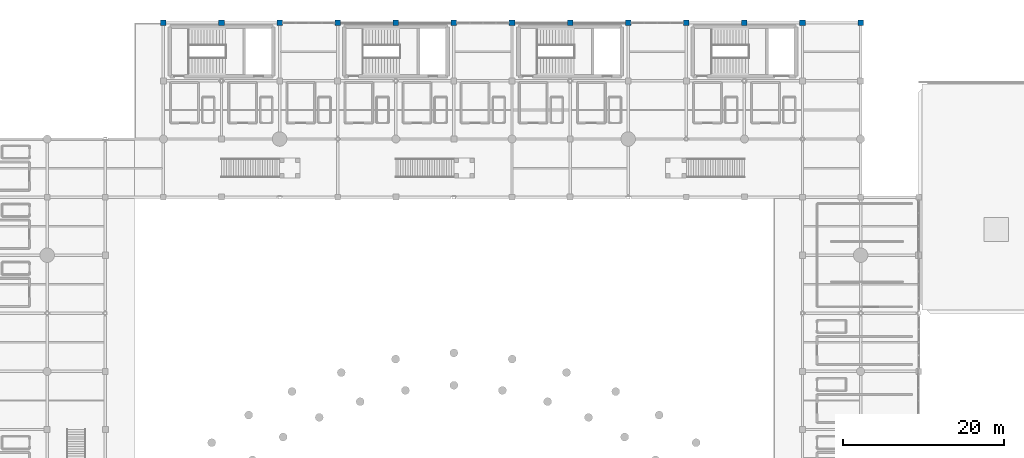
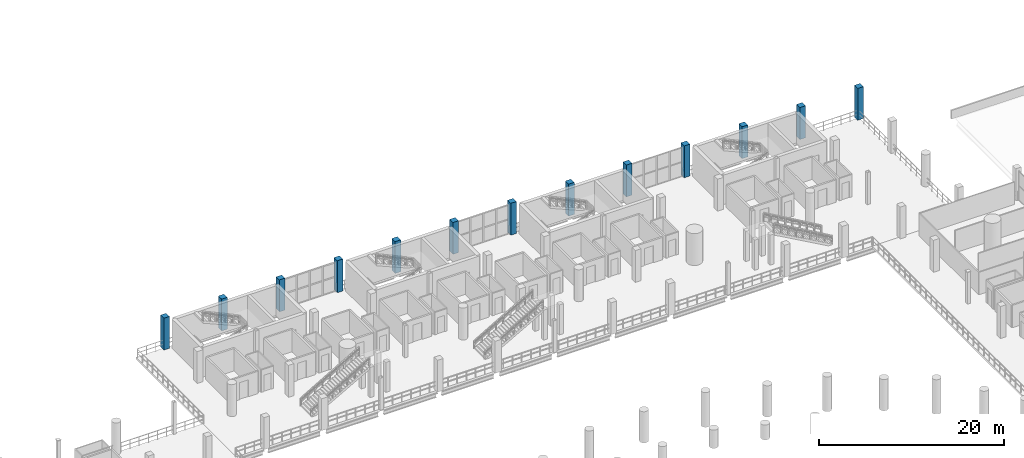
# One storey, part 17 of 130: 13 columns.
"""IFC4 building model written with IfcOpenShell, lengths in metres."""

from ifc_helpers import new_model, si_unit, direction, frame, origin, origin_2d, place, context, subcontext, project, spatial, rectangle, extrude, material, material_profile, profile_set, type_object, element, save


model = new_model("IFC4")

# Units and contexts
model_context = context("Model", 3, precision=1e-05, world=origin(), true_north=direction((0.0, 1.0)))
body_context = subcontext(model_context, "Body", "Model", "MODEL_VIEW")
ifc_project = project(units=[si_unit("LENGTHUNIT", "METRE"), si_unit("AREAUNIT", "SQUARE_METRE"), si_unit("VOLUMEUNIT", "CUBIC_METRE"), si_unit("PLANEANGLEUNIT", "RADIAN"), si_unit("MASSUNIT", "GRAM", prefix="KILO")], contexts=[model_context])

# Site, building, storey
site_placement = place(None, origin())
site = spatial("IfcSite", under=ifc_project, at=site_placement, CompositionType="ELEMENT")
building_placement = place(site_placement, origin())
building = spatial("IfcBuilding", under=site, at=building_placement, Name="Qandorah Velis Arena", CompositionType="ELEMENT")
storey_placement = place(building_placement, frame((0.0, 0.0, 9.60009765625)))
storey = spatial("IfcBuildingStorey", under=building, at=storey_placement, Name="L02", CompositionType="ELEMENT", Elevation=9.60009765625)

# Columns
ifc_material = material(Name="Concrete C40/50", Category="concrete")
ifc_material_profile = material_profile(ifc_material, rectangle(XDim=0.699951171875, YDim=0.699951171875, at=origin_2d()), Name="RC COL 700x700")
ifc_profile_set = profile_set([ifc_material_profile], Name="Concrete C40/50")
column_type = type_object("IfcColumnType", Name="STR-COL-RC700", PredefinedType="COLUMN", material=ifc_profile_set)
for number, where, z_axis, x_axis, name in (
    (1, (28.800048828125, 129.60009765625, 0.0), (0.0, 0.0, 1.0), (1.0, 0.0, 0.0), "Structural column L02-067"),
    (2, (36.0, 129.60009765625, 0.0), (0.0, 0.0, 1.0), (1.0, 0.0, 0.0), "Structural column L02-075"),
    (3, (43.199951171875, 129.60009765625, 0.0), (0.0, 0.0, 1.0), (1.0, 0.0, 0.0), "Structural column L02-083"),
    (4, (50.39990234375, 129.60009765625, 0.0), (0.0, 0.0, 1.0), (1.0, 0.0, 0.0), "Structural column L02-091"),
    (5, (57.60009765625, 129.60009765625, 0.0), (0.0, 0.0, 1.0), (1.0, 0.0, 0.0), "Structural column L02-099"),
    (6, (64.800048828125, 129.60009765625, 0.0), (0.0, 0.0, 1.0), (1.0, 0.0, 0.0), "Structural column L02-107"),
    (7, (72.0, 129.60009765625, 0.0), (0.0, 0.0, 1.0), (1.0, 0.0, 0.0), "Structural column L02-115"),
    (8, (79.199951171875, 129.60009765625, 0.0), (0.0, 0.0, 1.0), (1.0, 0.0, 0.0), "Structural column L02-123"),
    (9, (86.39990234375, 129.60009765625, 0.0), (0.0, 0.0, 1.0), (1.0, 0.0, 0.0), "Structural column L02-131"),
    (10, (93.60009765625, 129.60009765625, 0.0), (0.0, 0.0, 1.0), (1.0, 0.0, 0.0), "Structural column L02-139"),
    (11, (100.800048828125, 129.60009765625, 0.0), (0.0, 0.0, 1.0), (1.0, 0.0, 0.0), "Structural column L02-147"),
    (12, (108.0, 129.60009765625, 0.0), (0.0, 0.0, 1.0), (1.0, 0.0, 0.0), "Structural column L02-166"),
    (13, (115.199951171875, 129.60009765625, 0.0), (0.0, 0.0, 1.0), (1.0, 0.0, 0.0), "Structural column L02-184"),
):
    element("IfcColumn", number, at=place(storey_placement, frame(where, z_axis=z_axis, x_axis=x_axis)), inside=storey, type_object=column_type, Name=name, PredefinedType="COLUMN", context=body_context, shape_type="SweptSolid", body=[
        extrude(rectangle(XDim=0.699951171875, YDim=0.699951171875, at=origin_2d()), origin(), (0.0, 0.0, 1.0), 4.199951171875),
    ])

save(model, "model.ifc")
